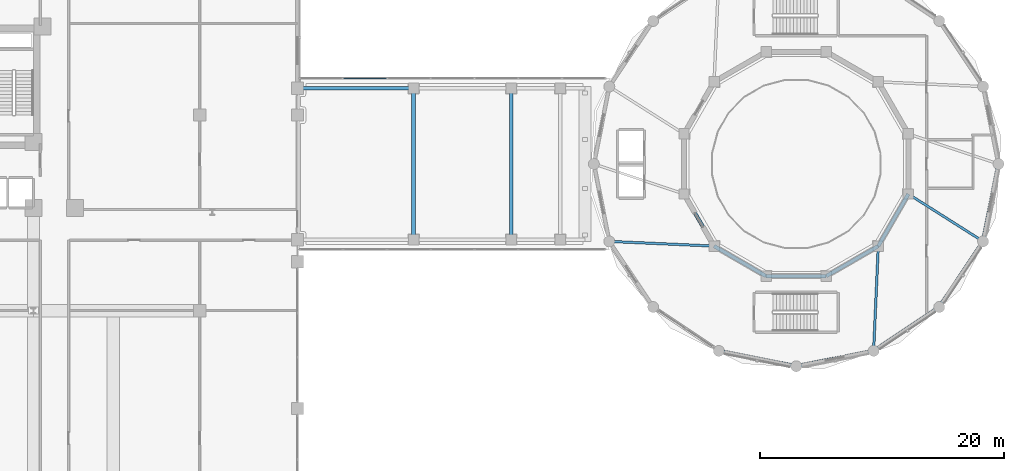
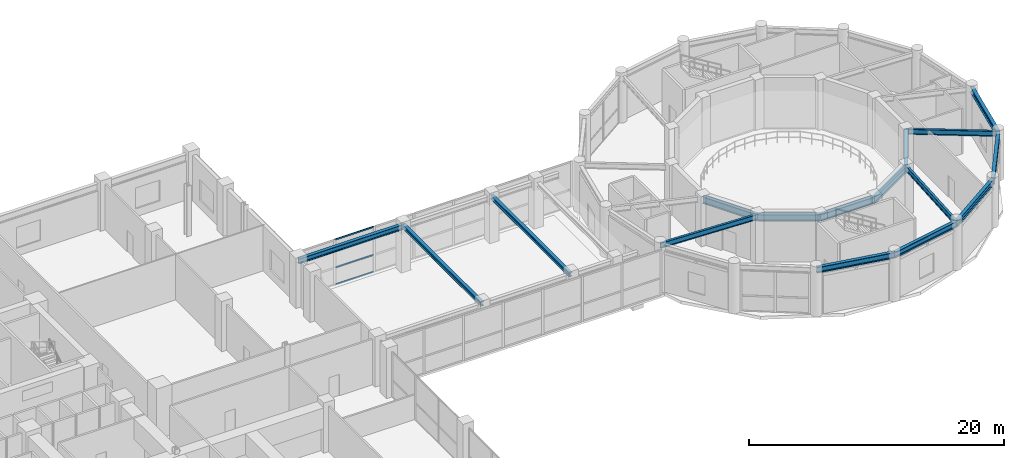
# One storey, part 21 of 44: 16 beams, 3 members, 1 element without a shape of its own.
"""IFC4 building model written with IfcOpenShell, lengths in metres."""

import ifcopenshell
import ifcopenshell.guid

model = None  # the IFC model being written
_history = None  # IfcOwnerHistory: only IFC2X3 demands one
_inside = {}  # id of a spatial element -> (the spatial element, [elements in it])
_under = {}  # id of a project, library or spatial element -> (it, [spatial elements below it])
_declared = {}  # id of a project -> (the project, [libraries it declares])
_typed = {}  # id of a type object -> (the type object, [elements of that type])
_made_of = {}  # id of a material, layer set ... -> (it, [elements and type objects made of it])


def new_model(schema):
    """Start an empty IFC model of exactly this schema.

    Asked for "IFC4X3", IfcOpenShell would pick the latest addendum, in which some entities
    have other attributes; the version numbers below select the first issue.
    IFC2X3 requires an IfcOwnerHistory on every rooted entity: one is made here for all.
    """
    global model, _history
    if schema == "IFC4X3":
        model = ifcopenshell.file(schema_version=(4, 3, 0, 0))
    else:
        model = ifcopenshell.file(schema=schema)
    _inside.clear()
    _under.clear()
    _declared.clear()
    _typed.clear()
    _made_of.clear()
    _history = None
    if model.schema == "IFC2X3":
        org = make("IfcOrganization", Name="unknown")
        user = make(
            "IfcPersonAndOrganization",
            ThePerson=make("IfcPerson", FamilyName="unknown"),
            TheOrganization=org,
        )
        app = make(
            "IfcApplication",
            ApplicationDeveloper=org,
            Version="unknown",
            ApplicationFullName="unknown",
            ApplicationIdentifier="unknown",
        )
        _history = make(
            "IfcOwnerHistory",
            OwningUser=user,
            OwningApplication=app,
            ChangeAction="ADDED",
            CreationDate=0,
        )
    return model


def make(cls, **values):
    """One entity of the class cls with the attributes given. An attribute that is None is left unset."""
    return model.create_entity(
        cls, **{name: value for name, value in values.items() if value is not None}
    )


def rooted(cls, **values):
    """An entity with a GlobalId (a new one), such as an element, a storey or a relation."""
    return make(cls, GlobalId=ifcopenshell.guid.new(), OwnerHistory=_history, **values)


def si_unit(unit_type, name, prefix=None):
    """IfcSIUnit, for example si_unit("LENGTHUNIT", "METRE", prefix="MILLI")."""
    return make("IfcSIUnit", UnitType=unit_type, Prefix=prefix, Name=name)


def derived_unit(unit_type, elements):
    """IfcDerivedUnit: a product of units, each with its exponent."""
    return make(
        "IfcDerivedUnit",
        Elements=[
            make("IfcDerivedUnitElement", Unit=unit, Exponent=power)
            for unit, power in elements
        ],
        UnitType=unit_type,
    )


def assignment(units):
    """IfcUnitAssignment: the units of a project."""
    return None if units is None else make("IfcUnitAssignment", Units=units)


def point(xyz):
    """IfcCartesianPoint."""
    return None if xyz is None else make("IfcCartesianPoint", Coordinates=xyz)


def direction(xyz):
    """IfcDirection."""
    return None if xyz is None else make("IfcDirection", DirectionRatios=xyz)


def frame(location, z_axis=None, x_axis=None):
    """IfcAxis2Placement3D, a coordinate frame: its origin and axes. An axis left out is left unset."""
    return make(
        "IfcAxis2Placement3D",
        Location=point(location),
        Axis=direction(z_axis),
        RefDirection=direction(x_axis),
    )


def frame_2d(location, x_axis=None):
    """IfcAxis2Placement2D, a coordinate frame in the plane: its origin and x axis."""
    return make(
        "IfcAxis2Placement2D", Location=point(location), RefDirection=direction(x_axis)
    )


def origin():
    """The frame at (0, 0, 0) with its axes left unset."""
    return frame((0.0, 0.0, 0.0))


def origin_2d():
    """The frame at (0, 0) in the plane with its x axis left unset."""
    return frame_2d((0.0, 0.0))


def place(relative_to, where):
    """IfcLocalPlacement: puts the frame where relative to a parent placement (None: the world)."""
    return make(
        "IfcLocalPlacement", PlacementRelTo=relative_to, RelativePlacement=where
    )


def context(
    kind, dimensions, precision=None, world=None, true_north=None, identifier=None
):
    """IfcGeometricRepresentationContext, for example the 3D "Model" context."""
    return make(
        "IfcGeometricRepresentationContext",
        ContextIdentifier=identifier,
        ContextType=kind,
        CoordinateSpaceDimension=dimensions,
        Precision=precision,
        WorldCoordinateSystem=world,
        TrueNorth=true_north,
    )


def subcontext(parent, identifier, kind, view, scale=None):
    """IfcGeometricRepresentationSubContext, for example "Body" below "Model"."""
    return make(
        "IfcGeometricRepresentationSubContext",
        ContextIdentifier=identifier,
        ContextType=kind,
        ParentContext=parent,
        TargetScale=scale,
        TargetView=view,
    )


def project(units=None, contexts=None):
    """IfcProject with its units and contexts."""
    return rooted(
        "IfcProject",
        Name="project",
        RepresentationContexts=contexts,
        UnitsInContext=assignment(units),
    )


def spatial(cls, under=None, at=None, **own):
    """A site, building, storey or space (cls), placed at a placement, below another one or the project."""
    s = rooted(cls, ObjectPlacement=at, **own)
    if under is not None:
        _under.setdefault(under.id(), (under, []))[1].append(s)
    return s


def profile(cls, at=None, kind="AREA", **sizes):
    """A parametric profile (cls). Its sizes go by their IFC names, for example OverallWidth=200.0."""
    return make(cls, ProfileType=kind, Position=at, **sizes)


def hollow_rectangle(**sizes):
    """IfcRectangleHollowProfileDef."""
    return profile("IfcRectangleHollowProfileDef", **sizes)


def i_section(**sizes):
    """IfcIShapeProfileDef."""
    return profile("IfcIShapeProfileDef", **sizes)


def extrude(swept, where, along, depth):
    """IfcExtrudedAreaSolid: the profile swept, set in the frame where, extruded along a direction by depth."""
    return make(
        "IfcExtrudedAreaSolid",
        SweptArea=swept,
        Position=where,
        ExtrudedDirection=direction(along),
        Depth=depth,
    )


def shape(context_of_items, identifier, shape_type, items):
    """IfcShapeRepresentation: the items that make up one representation, for example the "Body"."""
    return make(
        "IfcShapeRepresentation",
        ContextOfItems=context_of_items,
        RepresentationIdentifier=identifier,
        RepresentationType=shape_type,
        Items=items,
    )


def source(mapping_origin, context_of_items, identifier, shape_type, items):
    """IfcRepresentationMap: a shape defined once, which mapped items show again and again."""
    return make(
        "IfcRepresentationMap",
        MappingOrigin=mapping_origin,
        MappedRepresentation=shape(context_of_items, identifier, shape_type, items),
    )


def transform(
    local_origin,
    x_axis=None,
    y_axis=None,
    z_axis=None,
    scale=None,
    scale2=None,
    scale3=None,
    uniform=True,
):
    """IfcCartesianTransformationOperator3D, or its non-uniform kind. x_axis, y_axis, z_axis: its Axis1, 2, 3."""
    if uniform:
        return make(
            "IfcCartesianTransformationOperator3D",
            Axis1=direction(x_axis),
            Axis2=direction(y_axis),
            LocalOrigin=point(local_origin),
            Scale=scale,
            Axis3=direction(z_axis),
        )
    return make(
        "IfcCartesianTransformationOperator3DnonUniform",
        Axis1=direction(x_axis),
        Axis2=direction(y_axis),
        LocalOrigin=point(local_origin),
        Scale=scale,
        Axis3=direction(z_axis),
        Scale2=scale2,
        Scale3=scale3,
    )


def mapped(mapping_source, mapping_target):
    """IfcMappedItem: shows the shape of a source again, moved by a transform."""
    return make(
        "IfcMappedItem", MappingSource=mapping_source, MappingTarget=mapping_target
    )


def material(Name=None, Category=None):
    """IfcMaterial."""
    return make("IfcMaterial", Name=Name, Category=Category)


def layer(
    of_material, thickness, ventilated=None, Name=None, Category=None, Priority=None
):
    """IfcMaterialLayer: one layer of a wall or slab, of a material (None: an air gap)."""
    return make(
        "IfcMaterialLayer",
        Material=of_material,
        LayerThickness=thickness,
        IsVentilated=ventilated,
        Name=Name,
        Category=Category,
        Priority=Priority,
    )


def layer_set(layers, Name=None):
    """IfcMaterialLayerSet."""
    return make("IfcMaterialLayerSet", MaterialLayers=layers, LayerSetName=Name)


def material_profile(
    of_material, cross_section, Name=None, Category=None, Priority=None
):
    """IfcMaterialProfile: a cross section and its material."""
    return make(
        "IfcMaterialProfile",
        Name=Name,
        Material=of_material,
        Profile=cross_section,
        Priority=Priority,
        Category=Category,
    )


def profile_set(profiles, Name=None, composite=None):
    """IfcMaterialProfileSet."""
    return make(
        "IfcMaterialProfileSet",
        Name=Name,
        MaterialProfiles=profiles,
        CompositeProfile=composite,
    )


def made_of(thing, what):
    """Note that an element or type object is made of a material, layer set ...; save() writes the relation."""
    if what is not None:
        _made_of.setdefault(what.id(), (what, []))[1].append(thing)
    return thing


def type_object(cls, material=None, **own):
    """A type object (cls), such as IfcWallType, which elements share."""
    return made_of(rooted(cls, **own), material)


def element(
    cls,
    number,
    at=None,
    inside=None,
    cuts=None,
    type_object=None,
    material=None,
    context=None,
    identifier="Body",
    shape_type=None,
    held_by="IfcProductDefinitionShape",
    body=None,
    shapes=None,
    **own,
):
    """One element of the class cls, such as IfcWall. Its Tag is "e" and its number.

    at: its placement. inside: the storey or other place that contains it. cuts: it is an
    opening in that element (IfcRelVoidsElement). A single representation is given by context,
    identifier, shape_type and body (its items); several are given by shapes. held_by: the class
    of the entity that holds the representations. save() writes the other relations.
    """
    e = rooted(cls, Tag="e%d" % number, ObjectPlacement=at, **own)
    if body is not None:
        shapes = [shape(context, identifier, shape_type, body)]
    if shapes is not None:
        e.Representation = make(held_by, Representations=shapes)
    if inside is not None:
        _inside.setdefault(inside.id(), (inside, []))[1].append(e)
    if cuts is not None:
        rooted(
            "IfcRelVoidsElement", RelatingBuildingElement=cuts, RelatedOpeningElement=e
        )
    if type_object is not None:
        _typed.setdefault(type_object.id(), (type_object, []))[1].append(e)
    return made_of(e, material)


def aggregate(whole, parts):
    """IfcRelAggregates: a whole, such as a stair, and the parts it consists of."""
    return rooted("IfcRelAggregates", RelatingObject=whole, RelatedObjects=parts)


def save(model, path):
    """Write the relations noted so far, then the file.

    IfcRelAggregates (storeys below a building ...), IfcRelContainedInSpatialStructure (elements
    in a storey), IfcRelDefinesByType, IfcRelAssociatesMaterial and IfcRelDeclares: one each for
    every whole, place, type object, material and project.
    """
    for whole, parts in _under.values():
        aggregate(whole, parts)
    for where, things in _inside.values():
        rooted(
            "IfcRelContainedInSpatialStructure",
            RelatedElements=things,
            RelatingStructure=where,
        )
    for kind, things in _typed.values():
        rooted("IfcRelDefinesByType", RelatedObjects=things, RelatingType=kind)
    for what, things in _made_of.values():
        rooted("IfcRelAssociatesMaterial", RelatedObjects=things, RelatingMaterial=what)
    for by, libraries in _declared.values():
        rooted("IfcRelDeclares", RelatingContext=by, RelatedDefinitions=libraries)
    model.write(path)


model = new_model("IFC4")

# Units and contexts
model_context = context("Model", 3, precision=1e-05, world=origin(), true_north=direction((0.0, 1.0)))
body_context = subcontext(model_context, "Body", "Model", "MODEL_VIEW")
ifc_project = project(units=[si_unit("LENGTHUNIT", "METRE"), si_unit("AREAUNIT", "SQUARE_METRE"), si_unit("VOLUMEUNIT", "CUBIC_METRE"), si_unit("PLANEANGLEUNIT", "RADIAN"), si_unit("MASSUNIT", "GRAM", prefix="KILO"), derived_unit("THERMALTRANSMITTANCEUNIT", [(si_unit("POWERUNIT", "WATT"), 1), (si_unit("LENGTHUNIT", "METRE"), -2), (si_unit("THERMODYNAMICTEMPERATUREUNIT", "KELVIN"), -1)])], contexts=[model_context])

# Site, building, storey
site_placement = place(None, origin())
site = spatial("IfcSite", under=ifc_project, at=site_placement, CompositionType="ELEMENT")
building_placement = place(site_placement, origin())
building = spatial("IfcBuilding", under=site, at=building_placement, Name="Korsvarv Bourse and Concert Hall", CompositionType="ELEMENT")
storey_placement = place(building_placement, frame((0.0, 0.0, 9.60009765625)))
storey = spatial("IfcBuildingStorey", under=building, at=storey_placement, Name="L02", CompositionType="ELEMENT", Elevation=9.60009765625)

# Beams
ifc_material_1 = material(Name="Steel S355", Category="steel")
ifc_material_profile_1 = material_profile(ifc_material_1, i_section(OverallWidth=0.300048828125, OverallDepth=0.489990234375, WebThickness=0.011962890625, FlangeThickness=0.02294921875, FilletRadius=0.02392578125, at=origin_2d()), Name="HEA 500")
ifc_profile_set_1 = profile_set([ifc_material_profile_1], Name="Steel S355")
beam_type_1 = type_object("IfcBeamType", Name="BM-HEA500", PredefinedType="BEAM", material=ifc_profile_set_1)
shared_shape_1 = source(origin(), body_context, "Body", "SweptSolid", [
    extrude(i_section(OverallWidth=0.300048828125, OverallDepth=0.489990234375, WebThickness=0.011962890625, FlangeThickness=0.02294921875, FilletRadius=0.02392578125, at=origin_2d()), origin(), (0.0, 0.0, 1.0), 9.5),
])
beam_1_placement = place(storey_placement, frame((66.0, 42.199951171875, 4.10498046875), z_axis=(1.0, 0.0, 0.0), x_axis=(0.0, 1.0, 0.0)))
element("IfcBeam", 1, at=beam_1_placement, inside=storey, type_object=beam_type_1, Name="L02 beam B-10", PredefinedType="BEAM", context=body_context, shape_type="MappedRepresentation", body=[
    mapped(shared_shape_1, transform((0.0, 0.0, 0.0), scale=1.0)),
])
ifc_material_profile_2 = material_profile(ifc_material_1, i_section(OverallWidth=0.300048828125, OverallDepth=0.389892578125, WebThickness=0.010986328125, FlangeThickness=0.01904296875, FilletRadius=0.02099609375, at=origin_2d()), Name="HEA 400")
ifc_profile_set_2 = profile_set([ifc_material_profile_2], Name="Steel S355")
beam_type_2 = type_object("IfcBeamType", Name="BM-HEA400", PredefinedType="BEAM", material=ifc_profile_set_2)
shared_shape_2 = source(origin(), body_context, "Body", "SweptSolid", [
    extrude(i_section(OverallWidth=0.300048828125, OverallDepth=0.389892578125, WebThickness=0.010986328125, FlangeThickness=0.01904296875, FilletRadius=0.02099609375, at=origin_2d()), origin(), (0.0, 0.0, 1.0), 12.39990234375),
])
for number, where, z_axis, x_axis, name in (
    (2, (75.5, 29.800048828125, 4.15478515625), (0.0, 1.0, 0.0), (-1.0, 0.0, 0.0), "L02 beam B-11"),
    (3, (83.5, 29.800048828125, 4.15478515625), (0.0, 1.0, 0.0), (-1.0, 0.0, 0.0), "L02 beam B-11"),
):
    element("IfcBeam", number, at=place(storey_placement, frame(where, z_axis=z_axis, x_axis=x_axis)), inside=storey, type_object=beam_type_2, Name=name, PredefinedType="BEAM", context=body_context, shape_type="MappedRepresentation", body=[
        mapped(shared_shape_2, transform((0.0, 0.0, 0.0), scale=1.0)),
    ])
ifc_material_profile_3 = material_profile(ifc_material_1, i_section(OverallWidth=0.300048828125, OverallDepth=0.550048828125, WebThickness=0.014892578125, FlangeThickness=0.029052734375, FilletRadius=0.02392578125, at=origin_2d()), Name="HEB 550")
ifc_profile_set_3 = profile_set([ifc_material_profile_3], Name="Steel S355")
beam_type_3 = type_object("IfcBeamType", Name="BM-HEB550", PredefinedType="BEAM", material=ifc_profile_set_3)
shared_shape_3 = source(origin(), body_context, "Body", "SweptSolid", [
    extrude(i_section(OverallWidth=0.300048828125, OverallDepth=0.550048828125, WebThickness=0.014892578125, FlangeThickness=0.029052734375, FilletRadius=0.02392578125, at=origin_2d()), origin(), (0.0, 0.0, 1.0), 6.45751953125),
])
for number, where, z_axis, x_axis, name in (
    (4, (100.466552734375, 20.709716796875, 4.224853515625), (0.980786616034, -0.195083607229, 0.0), (0.195083607229, 0.980786616034, 0.0), "L02 beam B-06"),
    (5, (122.090087890625, 29.66650390625, 4.224853515625), (0.195119974887, 0.980779381615, 0.0), (-0.980779381615, 0.195119974887, 0.0), "L02 beam B-06"),
):
    element("IfcBeam", number, at=place(storey_placement, frame(where, z_axis=z_axis, x_axis=x_axis)), inside=storey, type_object=beam_type_3, Name=name, PredefinedType="BEAM", context=body_context, shape_type="MappedRepresentation", body=[
        mapped(shared_shape_3, transform((0.0, 0.0, 0.0), scale=1.0)),
    ])
shared_shape_4 = source(origin(), body_context, "Body", "SweptSolid", [
    extrude(i_section(OverallWidth=0.300048828125, OverallDepth=0.550048828125, WebThickness=0.014892578125, FlangeThickness=0.029052734375, FilletRadius=0.02392578125, at=origin_2d()), origin(), (0.0, 0.0, 1.0), 6.457275390625),
])
for number, where, z_axis, x_axis, name in (
    (6, (106.800048828125, 19.449951171875, 4.224853515625), (0.980785177113, 0.19509084129, 0.0), (-0.19509084129, 0.980785177113, 0.0), "L02 beam B-06"),
    (7, (118.502685546875, 24.29736328125, 4.224853515625), (0.555554952257, 0.831479822379, 0.0), (-0.831479822379, 0.555554952257, 0.0), "L02 beam B-06"),
):
    element("IfcBeam", number, at=place(storey_placement, frame(where, z_axis=z_axis, x_axis=x_axis)), inside=storey, type_object=beam_type_3, Name=name, PredefinedType="BEAM", context=body_context, shape_type="MappedRepresentation", body=[
        mapped(shared_shape_4, transform((0.0, 0.0, 0.0), scale=1.0)),
    ])
shared_shape_5 = source(origin(), body_context, "Body", "SweptSolid", [
    extrude(i_section(OverallWidth=0.300048828125, OverallDepth=0.550048828125, WebThickness=0.014892578125, FlangeThickness=0.029052734375, FilletRadius=0.02392578125, at=origin_2d()), origin(), (0.0, 0.0, 1.0), 6.457763671875),
])
beam_2_placement = place(storey_placement, frame((113.13330078125, 20.709716796875, 4.224853515625), z_axis=(0.831474026951, 0.555563625974, 0.0), x_axis=(-0.555563625974, 0.831474026951, 0.0)))
element("IfcBeam", 8, at=beam_2_placement, inside=storey, type_object=beam_type_3, Name="L02 beam B-06", PredefinedType="BEAM", context=body_context, shape_type="MappedRepresentation", body=[
    mapped(shared_shape_5, transform((0.0, 0.0, 0.0), scale=1.0)),
])
ifc_material_profile_4 = material_profile(ifc_material_1, i_section(OverallWidth=0.300048828125, OverallDepth=0.64990234375, WebThickness=0.01611328125, FlangeThickness=0.031005859375, FilletRadius=0.027099609375, at=origin_2d()), Name="HEB 650")
ifc_profile_set_4 = profile_set([ifc_material_profile_4], Name="Steel S355")
beam_type_4 = type_object("IfcBeamType", Name="BM-HEB650", PredefinedType="BEAM", material=ifc_profile_set_4)
shared_shape_6 = source(origin(), body_context, "Body", "SweptSolid", [
    extrude(i_section(OverallWidth=0.300048828125, OverallDepth=0.64990234375, WebThickness=0.01611328125, FlangeThickness=0.031005859375, FilletRadius=0.027099609375, at=origin_2d()), origin(), (0.0, 0.0, 1.0), 4.91748046875),
])
for number, where, z_axis, x_axis, name in (
    (9, (97.623779296875, 33.541259765625, 4.1748046875), (0.499988900423, -0.866031812033, 0.0), (0.866031812033, 0.499988900423, 0.0), "L02 beam B-04"),
    (10, (100.08251953125, 29.282470703125, 4.1748046875), (0.866031812033, -0.499988900423, 0.0), (0.499988900423, 0.866031812033, 0.0), "L02 beam B-04"),
    (11, (104.34130859375, 26.82373046875, 4.1748046875), (1.0, 0.0, 0.0), (0.0, 1.0, 0.0), "L02 beam B-04"),
    (12, (109.2587890625, 26.82373046875, 4.1748046875), (0.866031812033, 0.499988900423, 0.0), (-0.499988900423, 0.866031812033, 0.0), "L02 beam B-04"),
    (13, (113.517578125, 29.282470703125, 4.1748046875), (0.499988900423, 0.866031812033, 0.0), (-0.866031812033, 0.499988900423, 0.0), "L02 beam B-04"),
):
    element("IfcBeam", number, at=place(storey_placement, frame(where, z_axis=z_axis, x_axis=x_axis)), inside=storey, type_object=beam_type_4, Name=name, PredefinedType="BEAM", context=body_context, shape_type="MappedRepresentation", body=[
        mapped(shared_shape_6, transform((0.0, 0.0, 0.0), scale=1.0)),
    ])
ifc_material_profile_5 = material_profile(ifc_material_1, i_section(OverallWidth=0.199951171875, OverallDepth=0.5, WebThickness=0.01025390625, FlangeThickness=0.01611328125, FilletRadius=0.02099609375, at=origin_2d()), Name="IPE 500")
ifc_profile_set_5 = profile_set([ifc_material_profile_5], Name="Steel S355")
beam_type_5 = type_object("IfcBeamType", Name="BM-IPE500", PredefinedType="JOIST", material=ifc_profile_set_5)
shared_shape_7 = source(origin(), body_context, "Body", "SweptSolid", [
    extrude(i_section(OverallWidth=0.199951171875, OverallDepth=0.5, WebThickness=0.01025390625, FlangeThickness=0.01611328125, FilletRadius=0.02099609375, at=origin_2d()), origin(), (0.0, 0.0, 1.0), 8.581298828125),
])
for number, where, z_axis, x_axis, name in (
    (14, (100.08251953125, 29.282470703125, 4.25), (-0.998998124412, 0.044752066119, 0.0), (-0.044752066119, -0.998998124412, 0.0), "L02 beam J-03"),
    (15, (113.517578125, 29.282470703125, 4.25), (-0.044780459224, -0.998996852083, 0.0), (0.998996852083, -0.044780459224, 0.0), "L02 beam J-03"),
):
    element("IfcBeam", number, at=place(storey_placement, frame(where, z_axis=z_axis, x_axis=x_axis)), inside=storey, type_object=beam_type_5, Name=name, PredefinedType="JOIST", context=body_context, shape_type="MappedRepresentation", body=[
        mapped(shared_shape_7, transform((0.0, 0.0, 0.0), scale=1.0)),
    ])
shared_shape_8 = source(origin(), body_context, "Body", "SweptSolid", [
    extrude(i_section(OverallWidth=0.199951171875, OverallDepth=0.5, WebThickness=0.01025390625, FlangeThickness=0.01611328125, FilletRadius=0.02099609375, at=origin_2d()), origin(), (0.0, 0.0, 1.0), 7.23828125),
])
beam_3_placement = place(storey_placement, frame((115.976318359375, 33.541259765625, 4.25), z_axis=(0.844650306569, -0.5353184656, 0.0), x_axis=(0.5353184656, 0.844650306569, 0.0)))
element("IfcBeam", 16, at=beam_3_placement, inside=storey, type_object=beam_type_5, Name="L02 beam J-03", PredefinedType="JOIST", context=body_context, shape_type="MappedRepresentation", body=[
    mapped(shared_shape_8, transform((0.0, 0.0, 0.0), scale=1.0)),
])

# Curtain wall, members
ifc_material_2 = material(Name="Anodised aluminium and triple low-E glazing", Category="glass")
ifc_layer = layer(ifc_material_2, 0.239990234375)
ifc_layer_set = layer_set([ifc_layer], Name="Anodised aluminium and triple low-E glazing")
curtain_wall_type = type_object("IfcCurtainWallType", Name="CW-SYS-5", PredefinedType="NOTDEFINED", material=ifc_layer_set)
curtain_wall_placement = place(storey_placement, origin())
curtain_wall = element("IfcCurtainWall", 17, at=curtain_wall_placement, inside=storey, type_object=curtain_wall_type, Name="L02 CW5 curtain wall CW-L02-LKN", PredefinedType="NOTDEFINED")
ifc_material_3 = material(Name="Extruded aluminium EN AW-6063 T66", Category="aluminium")
ifc_material_profile_6 = material_profile(ifc_material_3, hollow_rectangle(XDim=0.06494140625, YDim=0.139892578125, WallThickness=0.00390625, at=origin_2d()), Name="ALU-T 65x140")
ifc_profile_set_6 = profile_set([ifc_material_profile_6], Name="Extruded aluminium EN AW-6063 T66")
member_type = type_object("IfcMemberType", Name="CWT-140", PredefinedType="USERDEFINED", material=ifc_profile_set_6)
shared_shape_9 = source(origin(), body_context, "Body", "SweptSolid", [
    extrude(hollow_rectangle(XDim=0.06494140625, YDim=0.139892578125, WallThickness=0.00390625, at=origin_2d()), origin(), (0.0, 0.0, 1.0), 3.510009765625),
])
member_1_placement = place(storey_placement, frame((69.77490234375, 43.0, 0.032470703125), z_axis=(1.0, 0.0, 0.0), x_axis=(0.0, 1.0, 0.0)))
member_1 = element("IfcMember", 18, at=member_1_placement, type_object=member_type, Name="CW5 transom 2.1", ObjectType="TRANSOM", PredefinedType="USERDEFINED", context=body_context, shape_type="MappedRepresentation", body=[
    mapped(shared_shape_9, transform((0.0, 0.0, 0.0), scale=1.0)),
])
member_2_placement = place(storey_placement, frame((69.77490234375, 43.0, 1.65283203125), z_axis=(1.0, 0.0, 0.0), x_axis=(0.0, 1.0, 0.0)))
member_2 = element("IfcMember", 19, at=member_2_placement, type_object=member_type, Name="CW5 transom 2.2", ObjectType="TRANSOM", PredefinedType="USERDEFINED", context=body_context, shape_type="MappedRepresentation", body=[
    mapped(shared_shape_9, transform((0.0, 0.0, 0.0), scale=1.0)),
])
member_3_placement = place(storey_placement, frame((69.77490234375, 43.0, 4.3173828125), z_axis=(1.0, 0.0, 0.0), x_axis=(0.0, 1.0, 0.0)))
member_3 = element("IfcMember", 20, at=member_3_placement, type_object=member_type, Name="CW5 transom 2.3", ObjectType="TRANSOM", PredefinedType="USERDEFINED", context=body_context, shape_type="MappedRepresentation", body=[
    mapped(shared_shape_9, transform((0.0, 0.0, 0.0), scale=1.0)),
])
aggregate(curtain_wall, [member_1, member_2, member_3])

save(model, "model.ifc")
